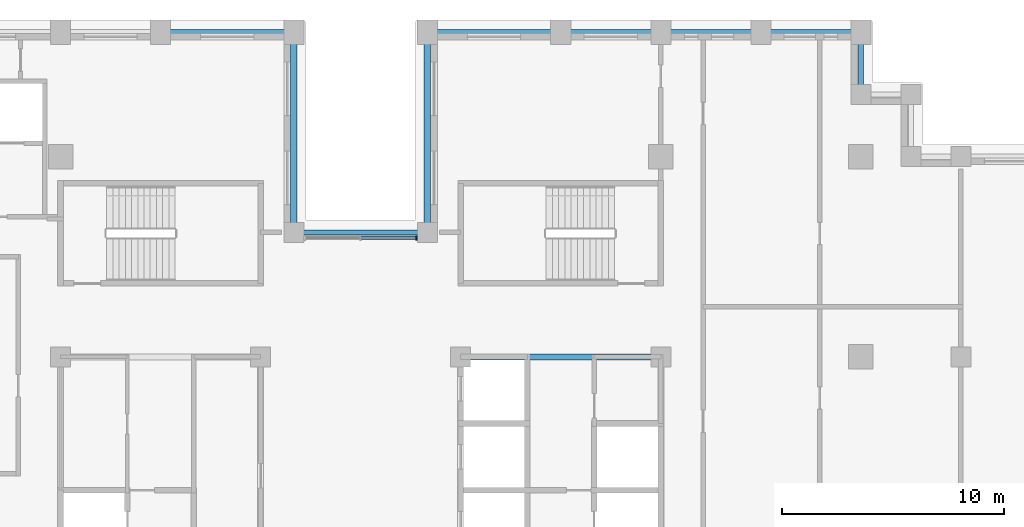
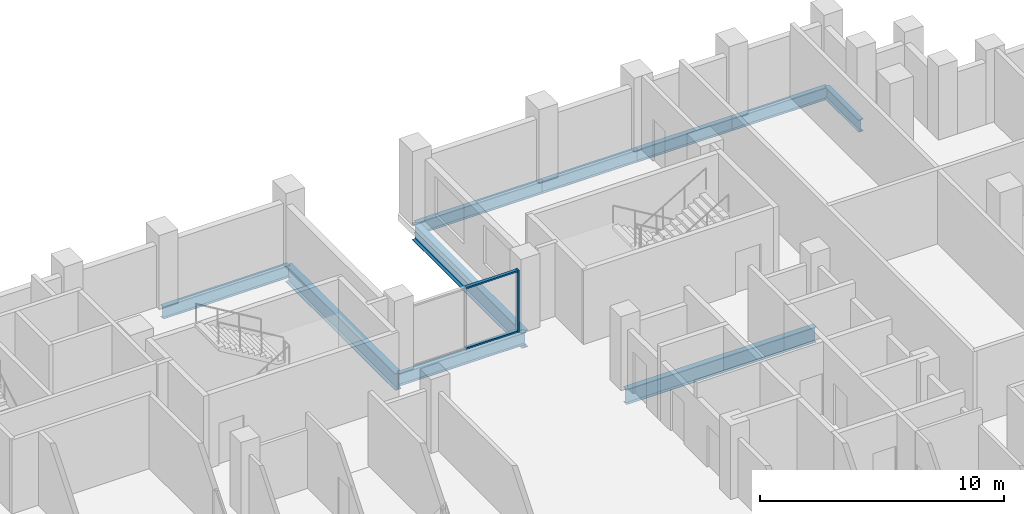
# One storey, part 4 of 15: 10 beams, 3 members, 1 element without a shape of its own.
"""IFC4 building model written with IfcOpenShell, lengths in metres."""

from ifc_helpers import new_model, si_unit, direction, frame, origin, origin_2d, place, context, subcontext, project, spatial, rectangle, i_section, extrude, material, layer, layer_set, material_profile, profile_set, type_object, element, aggregate, save


model = new_model("IFC4")

# Units and contexts
model_context = context("Model", 3, precision=1e-05, world=origin(), true_north=direction((0.0, 1.0)))
body_context = subcontext(model_context, "Body", "Model", "MODEL_VIEW")
ifc_project = project(units=[si_unit("LENGTHUNIT", "METRE"), si_unit("AREAUNIT", "SQUARE_METRE"), si_unit("VOLUMEUNIT", "CUBIC_METRE"), si_unit("PLANEANGLEUNIT", "RADIAN"), si_unit("MASSUNIT", "GRAM", prefix="KILO")], contexts=[model_context])

# Site, building, storey
site_placement = place(None, origin())
site = spatial("IfcSite", under=ifc_project, at=site_placement, CompositionType="ELEMENT")
building_placement = place(site_placement, origin())
building = spatial("IfcBuilding", under=site, at=building_placement, Name="Corbelhall Arena Tower", CompositionType="ELEMENT")
storey_placement = place(building_placement, frame((0.0, 0.0, 166.0)))
storey = spatial("IfcBuildingStorey", under=building, at=storey_placement, Name="L33", CompositionType="ELEMENT", Elevation=166.0)

# Curtain wall, members
ifc_material_1 = material(Name="Aluminium black anodised", Category="aluminium")
ifc_layer = layer(ifc_material_1, 0.199951171875)
ifc_layer_set = layer_set([ifc_layer], Name="EV-CW1 Slot back wall")
curtain_wall_type = type_object("IfcCurtainWallType", Name="EV-CW1 Slot back wall", PredefinedType="NOTDEFINED", material=ifc_layer_set)
curtain_wall_placement = place(storey_placement, origin())
curtain_wall = element("IfcCurtainWall", 1, at=curtain_wall_placement, inside=storey, type_object=curtain_wall_type, Name="Curtain wall CW1", PredefinedType="NOTDEFINED")
ifc_material_profile_1 = material_profile(ifc_material_1, rectangle(XDim=0.199951171875, YDim=0.074951171875, at=origin_2d()))
ifc_profile_set_1 = profile_set([ifc_material_profile_1], Name="Aluminium black anodised")
member_type_1 = type_object("IfcMemberType", Name="EV-CW1-MULLION", PredefinedType="MULLION", material=ifc_profile_set_1)
member_1_placement = place(storey_placement, frame((2.512451171875, 14.35009765625, 0.0), z_axis=(0.0, 0.0, 1.0), x_axis=(0.0, -1.0, 0.0)))
member_1 = element("IfcMember", 2, at=member_1_placement, type_object=member_type_1, Name="CW1 mullion 1", PredefinedType="MULLION", context=body_context, shape_type="SweptSolid", body=[
    extrude(rectangle(XDim=0.199951171875, YDim=0.074951171875, at=origin_2d()), origin(), (0.0, 0.0, 1.0), 3.10009765625),
])
ifc_material_profile_2 = material_profile(ifc_material_1, rectangle(XDim=0.14990234375, YDim=0.074951171875, at=origin_2d()))
ifc_profile_set_2 = profile_set([ifc_material_profile_2], Name="Aluminium black anodised")
member_type_2 = type_object("IfcMemberType", Name="EV-CW1-TRANSOM", PredefinedType="USERDEFINED", material=ifc_profile_set_2)
member_2_placement = place(storey_placement, frame((2.47509765625, 14.35009765625, 0.03759765625), z_axis=(-1.0, 0.0, 0.0), x_axis=(0.0, -1.0, 0.0)))
member_2 = element("IfcMember", 3, at=member_2_placement, type_object=member_type_2, Name="CW1 transom 1.1", ObjectType="transom", PredefinedType="USERDEFINED", context=body_context, shape_type="SweptSolid", body=[
    extrude(rectangle(XDim=0.14990234375, YDim=0.074951171875, at=origin_2d()), origin(), (0.0, 0.0, 1.0), 2.4375),
])
member_3_placement = place(storey_placement, frame((2.47509765625, 14.35009765625, 3.0625), z_axis=(-1.0, 0.0, 0.0), x_axis=(0.0, -1.0, 0.0)))
member_3 = element("IfcMember", 4, at=member_3_placement, type_object=member_type_2, Name="CW1 transom 1.2", ObjectType="transom", PredefinedType="USERDEFINED", context=body_context, shape_type="SweptSolid", body=[
    extrude(rectangle(XDim=0.14990234375, YDim=0.074951171875, at=origin_2d()), origin(), (0.0, 0.0, 1.0), 2.4375),
])
aggregate(curtain_wall, [member_1, member_2, member_3])

# Beams
ifc_material_2 = material(Name="Steel ASTM A992 Gr50", Category="steel")
ifc_material_profile_3 = material_profile(ifc_material_2, i_section(OverallWidth=0.2666015625, OverallDepth=0.761962890625, WebThickness=0.014404296875, FlangeThickness=0.021484375, at=origin_2d()))
ifc_profile_set_3 = profile_set([ifc_material_profile_3], Name="Steel ASTM A992 Gr50")
beam_type_1 = type_object("IfcBeamType", Name="ST-BEAM-W30x116", PredefinedType="BEAM", material=ifc_profile_set_3)
beam_1_placement = place(storey_placement, frame((4.5, 9.0, -0.680908203125), z_axis=(1.0, 0.0, 0.0), x_axis=(0.0, 1.0, 0.0)))
element("IfcBeam", 5, at=beam_1_placement, inside=storey, type_object=beam_type_1, Name="Beam CEE 12", PredefinedType="BEAM", context=body_context, shape_type="SweptSolid", body=[
    extrude(i_section(OverallWidth=0.2666015625, OverallDepth=0.761962890625, WebThickness=0.014404296875, FlangeThickness=0.021484375, at=origin_2d()), origin(), (0.0, 0.0, 1.0), 9.0),
])
ifc_material_profile_4 = material_profile(ifc_material_2, i_section(OverallWidth=0.22900390625, OverallDepth=0.612060546875, WebThickness=0.011962890625, FlangeThickness=0.01953125, at=origin_2d()))
ifc_profile_set_4 = profile_set([ifc_material_profile_4], Name="Steel ASTM A992 Gr50")
beam_type_2 = type_object("IfcBeamType", Name="ST-SPANDREL-W24x84", PredefinedType="SPANDREL", material=ifc_profile_set_4)
beam_2_placement = place(storey_placement, frame((3.0, 23.60009765625, -0.60595703125), z_axis=(1.0, 0.0, 0.0), x_axis=(0.0, 1.0, 0.0)))
element("IfcBeam", 6, at=beam_2_placement, inside=storey, type_object=beam_type_2, Name="Beam SP 17", PredefinedType="SPANDREL", context=body_context, shape_type="SweptSolid", body=[
    extrude(i_section(OverallWidth=0.22900390625, OverallDepth=0.612060546875, WebThickness=0.011962890625, FlangeThickness=0.01953125, at=origin_2d()), origin(), (0.0, 0.0, 1.0), 6.0),
])
for number, where, z_axis, x_axis, name in (
    (7, (9.0, 23.60009765625, -0.60595703125), (1.0, 0.0, 0.0), (0.0, 1.0, 0.0), "Beam SP 18"),
    (8, (13.5, 23.60009765625, -0.60595703125), (1.0, 0.0, 0.0), (0.0, 1.0, 0.0), "Beam SP 19"),
    (9, (18.0, 23.60009765625, -0.60595703125), (1.0, 0.0, 0.0), (0.0, 1.0, 0.0), "Beam SP 20"),
):
    element("IfcBeam", number, at=place(storey_placement, frame(where, z_axis=z_axis, x_axis=x_axis)), inside=storey, type_object=beam_type_2, Name=name, PredefinedType="SPANDREL", context=body_context, shape_type="SweptSolid", body=[
        extrude(i_section(OverallWidth=0.22900390625, OverallDepth=0.612060546875, WebThickness=0.011962890625, FlangeThickness=0.01953125, at=origin_2d()), origin(), (0.0, 0.0, 1.0), 4.5),
    ])
beam_3_placement = place(storey_placement, frame((22.5, 23.60009765625, -0.60595703125), z_axis=(0.0, -1.0, 0.0), x_axis=(1.0, 0.0, 0.0)))
element("IfcBeam", 10, at=beam_3_placement, inside=storey, type_object=beam_type_2, Name="Beam SP 21", PredefinedType="SPANDREL", context=body_context, shape_type="SweptSolid", body=[
    extrude(i_section(OverallWidth=0.22900390625, OverallDepth=0.612060546875, WebThickness=0.011962890625, FlangeThickness=0.01953125, at=origin_2d()), origin(), (0.0, 0.0, 1.0), 2.800048828125),
])
for number, where, z_axis, x_axis, name in (
    (11, (-9.0, 23.60009765625, -0.60595703125), (1.0, 0.0, 0.0), (0.0, 1.0, 0.0), "Beam SP 23"),
    (12, (-3.0, 14.60009765625, -0.60595703125), (1.0, 0.0, 0.0), (0.0, 1.0, 0.0), "Beam SP 40"),
):
    element("IfcBeam", number, at=place(storey_placement, frame(where, z_axis=z_axis, x_axis=x_axis)), inside=storey, type_object=beam_type_2, Name=name, PredefinedType="SPANDREL", context=body_context, shape_type="SweptSolid", body=[
        extrude(i_section(OverallWidth=0.22900390625, OverallDepth=0.612060546875, WebThickness=0.011962890625, FlangeThickness=0.01953125, at=origin_2d()), origin(), (0.0, 0.0, 1.0), 6.0),
    ])
ifc_material_profile_5 = material_profile(ifc_material_2, i_section(OverallWidth=0.2919921875, OverallDepth=0.845703125, WebThickness=0.015380859375, FlangeThickness=0.0244140625, at=origin_2d()))
ifc_profile_set_5 = profile_set([ifc_material_profile_5], Name="Steel ASTM A992 Gr50")
beam_type_3 = type_object("IfcBeamType", Name="ST-SPANDREL-W33x141", PredefinedType="SPANDREL", material=ifc_profile_set_5)
for number, where, z_axis, x_axis, name in (
    (13, (-3.0, 23.60009765625, -0.722900390625), (0.0, -1.0, 0.0), (1.0, 0.0, 0.0), "Beam SP 22"),
    (14, (3.0, 14.60009765625, -0.722900390625), (0.0, 1.0, 0.0), (-1.0, 0.0, 0.0), "Beam SP 39"),
):
    element("IfcBeam", number, at=place(storey_placement, frame(where, z_axis=z_axis, x_axis=x_axis)), inside=storey, type_object=beam_type_3, Name=name, PredefinedType="SPANDREL", context=body_context, shape_type="SweptSolid", body=[
        extrude(i_section(OverallWidth=0.2919921875, OverallDepth=0.845703125, WebThickness=0.015380859375, FlangeThickness=0.0244140625, at=origin_2d()), origin(), (0.0, 0.0, 1.0), 9.0),
    ])

save(model, "model.ifc")
